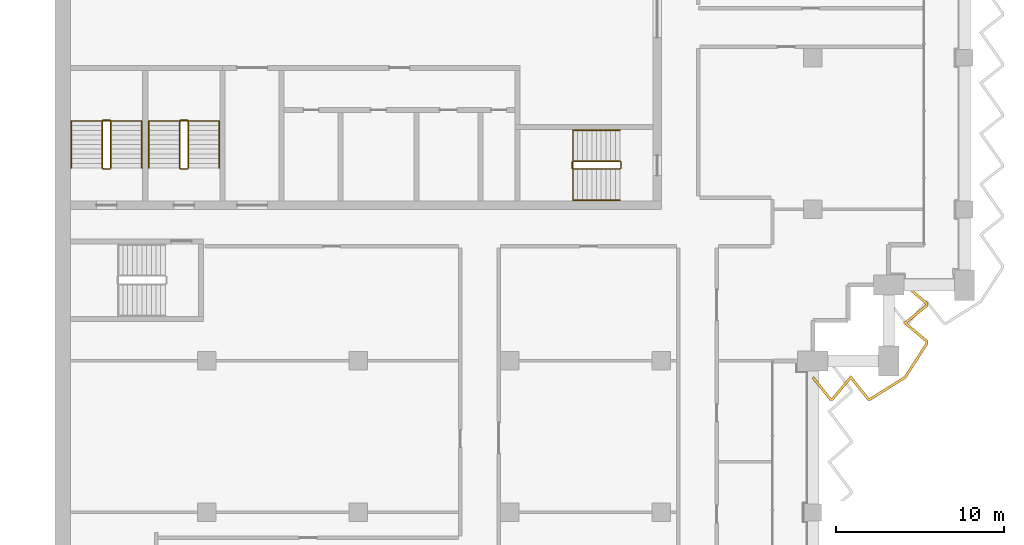
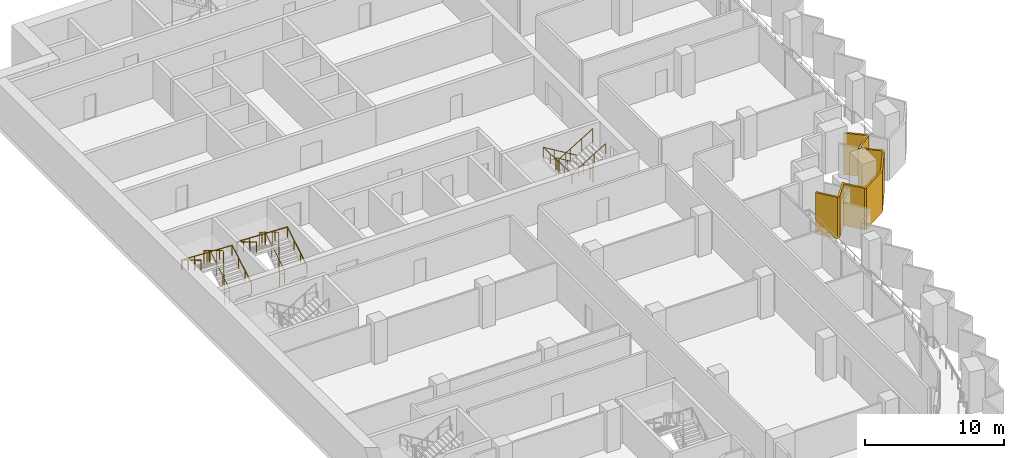
# One storey, part 16 of 17: 6 railings, 1 shading device.
"""IFC4 building model written with IfcOpenShell, lengths in metres."""

from ifc_helpers import new_model, si_unit, direction, frame, origin, origin_2d, place, context, subcontext, project, spatial, polyline, circle, outline, extrude, material, layer, layer_set, type_object, element, save


model = new_model("IFC4")

# Units and contexts
model_context = context("Model", 3, precision=1e-05, world=origin(), true_north=direction((0.0, 1.0)))
body_context = subcontext(model_context, "Body", "Model", "MODEL_VIEW")
ifc_project = project(units=[si_unit("LENGTHUNIT", "METRE"), si_unit("AREAUNIT", "SQUARE_METRE"), si_unit("VOLUMEUNIT", "CUBIC_METRE"), si_unit("PLANEANGLEUNIT", "RADIAN"), si_unit("MASSUNIT", "GRAM", prefix="KILO")], contexts=[model_context])

# Site, building, storey
site_placement = place(None, origin())
site = spatial("IfcSite", under=ifc_project, at=site_placement, CompositionType="ELEMENT")
building_placement = place(site_placement, origin())
building = spatial("IfcBuilding", under=site, at=building_placement, Name="Hunhe Ridgeline Campus", CompositionType="ELEMENT")
storey_placement = place(building_placement, frame((0.0, 0.0, 197.60009765625)))
storey = spatial("IfcBuildingStorey", under=building, at=storey_placement, Name="L50", CompositionType="ELEMENT", Elevation=197.60009765625)

# Shading device
ifc_material_1 = material(Name="Concrete C50", Category="concrete")
ifc_layer = layer(ifc_material_1, 0.14990234375)
ifc_layer_set = layer_set([ifc_layer], Name="Sawtooth concrete fin 150 Concrete C50")
shading_device_type = type_object("IfcShadingDeviceType", Name="Sawtooth concrete fin 150 Concrete C50", PredefinedType="USERDEFINED", material=ifc_layer_set)
shading_device_placement = place(storey_placement, frame((0.0, 0.0, -0.9501953125)))
element("IfcShadingDevice", 1, at=shading_device_placement, inside=storey, type_object=shading_device_type, Name="Concrete fin screen 2", ObjectType="FIN", PredefinedType="USERDEFINED", context=body_context, shape_type="SweptSolid", body=[
    extrude(outline(polyline([(45.05859375, 53.07177734375), (44.94140625, 52.978271484375), (46.000732421875, 51.64990234375), (46.19189453125, 51.64990234375), (47.24853515625, 52.90673828125), (48.250732421875, 51.64990234375), (48.428466796875, 51.64990234375), (50.529052734375, 52.970458984375), (51.85009765625, 55.0146484375), (51.85009765625, 55.19189453125), (50.59326171875, 56.24853515625), (51.85009765625, 57.250732421875), (51.85009765625, 57.44189453125), (50.523193359375, 58.557373046875), (50.4267578125, 58.442626953125), (51.699951171875, 57.371826171875), (51.699951171875, 57.322998046875), (50.356689453125, 56.25146484375), (51.699951171875, 55.121826171875), (51.699951171875, 55.05908203125), (50.421142578125, 53.07958984375), (48.38525390625, 51.800048828125), (48.322998046875, 51.800048828125), (47.25146484375, 53.143310546875), (46.121826171875, 51.800048828125), (46.072998046875, 51.800048828125), (45.05859375, 53.07177734375)])), origin(), (0.0, 0.0, 1.0), 3.650146484375),
])

# Railings
ifc_material_2 = material(Name="Stainless steel balustrade", Category="steel")
railing_type_1 = type_object("IfcRailingType", Name="Stair guard 1100 stainless", PredefinedType="GUARDRAIL", material=ifc_material_2)
railing_1_placement = place(storey_placement, frame((33.550048828125, 65.85009765625, 0.16796875)))
element("IfcRailing", 2, at=railing_1_placement, inside=storey, type_object=railing_type_1, Name="L50 stair S2 guard", PredefinedType="GUARDRAIL", context=body_context, shape_type="SweptSolid", body=[
    extrude(circle(Radius=0.02392578125, at=origin_2d()), frame((0.0, 0.0, 1.076171875), z_axis=(-0.857242210791, 0.0, 0.514913383045), x_axis=(0.0, -1.0, 0.0)), (0.0, 0.0, 1.0), 3.266357421875),
    extrude(circle(Radius=0.02392578125, at=origin_2d()), frame((-2.800048828125, 0.0, 2.7578125), z_axis=(-0.707106781187, -0.707106781187, 0.0), x_axis=(0.707106781187, -0.707106781187, 0.0)), (0.0, 0.0, 1.0), 0.07080078125),
    extrude(circle(Radius=0.02392578125, at=origin_2d()), frame((-2.85009765625, -0.050048828125, 2.7578125), z_axis=(0.0, -1.0, 0.0), x_axis=(1.0, 0.0, 0.0)), (0.0, 0.0, 1.0), 0.35009765625),
    extrude(circle(Radius=0.02392578125, at=origin_2d()), frame((-2.85009765625, -0.400146484375, 2.7578125), z_axis=(0.274243871929, -0.274243871929, 0.92172696468), x_axis=(0.707106781187, 0.707106781187, 0.0)), (0.0, 0.0, 1.0), 0.1826171875),
    extrude(circle(Radius=0.02392578125, at=origin_2d()), frame((-2.800048828125, -0.4501953125, 2.92626953125), z_axis=(0.857242210791, 0.0, 0.514913383045), x_axis=(0.0, 1.0, 0.0)), (0.0, 0.0, 1.0), 3.266357421875),
    extrude(circle(Radius=0.02392578125, at=origin_2d()), frame((0.0, -0.4501953125, 4.60791015625), z_axis=(0.013524414389, 0.013524414389, -0.999817073484), x_axis=(-0.707106781187, 0.707106781187, 0.0)), (0.0, 0.0, 1.0), 3.70068359375),
    extrude(circle(Radius=0.02392578125, at=origin_2d()), frame((0.050048828125, -0.400146484375, 0.908203125), z_axis=(0.0, 1.0, 0.0), x_axis=(-1.0, 0.0, 0.0)), (0.0, 0.0, 1.0), 0.35009765625),
    extrude(circle(Radius=0.02099609375, at=origin_2d()), origin(), (0.0, 0.0, 1.0), 1.052001953125),
    extrude(circle(Radius=0.02099609375, at=origin_2d()), frame((-0.933349609375, 0.0, 0.560546875)), (0.0, 0.0, 1.0), 1.052001953125),
    extrude(circle(Radius=0.02099609375, at=origin_2d()), frame((-1.86669921875, 0.0, 1.121337890625)), (0.0, 0.0, 1.0), 1.052001953125),
    extrude(circle(Radius=0.02099609375, at=origin_2d()), frame((-2.800048828125, 0.0, 1.681884765625)), (0.0, 0.0, 1.0), 1.052001953125),
    extrude(circle(Radius=0.02099609375, at=origin_2d()), frame((-2.85009765625, -0.050048828125, 1.681884765625)), (0.0, 0.0, 1.0), 1.052001953125),
    extrude(circle(Radius=0.02099609375, at=origin_2d()), frame((-2.85009765625, -0.400146484375, 1.681884765625)), (0.0, 0.0, 1.0), 1.052001953125),
    extrude(circle(Radius=0.02099609375, at=origin_2d()), frame((-2.800048828125, -0.4501953125, 1.85009765625)), (0.0, 0.0, 1.0), 1.052001953125),
    extrude(circle(Radius=0.02099609375, at=origin_2d()), frame((-1.86669921875, -0.4501953125, 2.41064453125)), (0.0, 0.0, 1.0), 1.052001953125),
    extrude(circle(Radius=0.02099609375, at=origin_2d()), frame((-0.933349609375, -0.4501953125, 2.971435546875)), (0.0, 0.0, 1.0), 1.052001953125),
    extrude(circle(Radius=0.02099609375, at=origin_2d()), frame((0.0, -0.4501953125, 3.531982421875)), (0.0, 0.0, 1.0), 1.052001953125),
    extrude(circle(Radius=0.02099609375, at=origin_2d()), frame((0.012451171875, -0.437744140625, 2.60693359375)), (0.0, 0.0, 1.0), 1.052001953125),
    extrude(circle(Radius=0.02099609375, at=origin_2d()), frame((0.02490234375, -0.42529296875, 1.68212890625)), (0.0, 0.0, 1.0), 1.052001953125),
    extrude(circle(Radius=0.02099609375, at=origin_2d()), frame((0.03759765625, -0.41259765625, 0.757080078125)), (0.0, 0.0, 1.0), 1.052001953125),
    extrude(circle(Radius=0.02099609375, at=origin_2d()), frame((0.050048828125, -0.400146484375, -0.16796875)), (0.0, 0.0, 1.0), 1.052001953125),
    extrude(circle(Radius=0.02099609375, at=origin_2d()), frame((0.050048828125, -0.050048828125, -0.16796875)), (0.0, 0.0, 1.0), 1.052001953125),
])
railing_2_placement = place(storey_placement, frame((3.300048828125, 65.449951171875, 0.16796875)))
element("IfcRailing", 3, at=railing_2_placement, inside=storey, type_object=railing_type_1, Name="L50 stair S3 guard", PredefinedType="GUARDRAIL", context=body_context, shape_type="SweptSolid", body=[
    extrude(circle(Radius=0.02392578125, at=origin_2d()), frame((0.0, 0.0, 1.076171875), z_axis=(0.0, 0.857242210791, 0.514913383045), x_axis=(-1.0, 0.0, 0.0)), (0.0, 0.0, 1.0), 3.266357421875),
    extrude(circle(Radius=0.02392578125, at=origin_2d()), frame((0.0, 2.800048828125, 2.7578125), z_axis=(-0.707106781187, 0.707106781187, 0.0), x_axis=(-0.707106781187, -0.707106781187, 0.0)), (0.0, 0.0, 1.0), 0.07080078125),
    extrude(circle(Radius=0.02392578125, at=origin_2d()), frame((-0.050048828125, 2.85009765625, 2.7578125), z_axis=(-1.0, 0.0, 0.0), x_axis=(0.0, -1.0, 0.0)), (0.0, 0.0, 1.0), 0.39990234375),
    extrude(circle(Radius=0.02392578125, at=origin_2d()), frame((-0.449951171875, 2.85009765625, 2.7578125), z_axis=(-0.274243871929, -0.274243871929, 0.92172696468), x_axis=(0.707106781187, -0.707106781187, 0.0)), (0.0, 0.0, 1.0), 0.1826171875),
    extrude(circle(Radius=0.02392578125, at=origin_2d()), frame((-0.5, 2.800048828125, 2.92626953125), z_axis=(0.0, -0.857242210791, 0.514913383045), x_axis=(1.0, 0.0, 0.0)), (0.0, 0.0, 1.0), 3.266357421875),
    extrude(circle(Radius=0.02392578125, at=origin_2d()), frame((-0.5, 0.0, 4.60791015625), z_axis=(0.013524414389, -0.013524414389, -0.999817073484), x_axis=(0.707106781187, 0.707106781187, 0.0)), (0.0, 0.0, 1.0), 3.70068359375),
    extrude(circle(Radius=0.02392578125, at=origin_2d()), frame((-0.449951171875, -0.050048828125, 0.908203125), z_axis=(1.0, 0.0, 0.0), x_axis=(0.0, 1.0, 0.0)), (0.0, 0.0, 1.0), 0.39990234375),
    extrude(circle(Radius=0.02099609375, at=origin_2d()), origin(), (0.0, 0.0, 1.0), 1.052001953125),
    extrude(circle(Radius=0.02099609375, at=origin_2d()), frame((0.0, 0.933349609375, 0.560546875)), (0.0, 0.0, 1.0), 1.052001953125),
    extrude(circle(Radius=0.02099609375, at=origin_2d()), frame((0.0, 1.86669921875, 1.121337890625)), (0.0, 0.0, 1.0), 1.052001953125),
    extrude(circle(Radius=0.02099609375, at=origin_2d()), frame((0.0, 2.800048828125, 1.681884765625)), (0.0, 0.0, 1.0), 1.052001953125),
    extrude(circle(Radius=0.02099609375, at=origin_2d()), frame((-0.050048828125, 2.85009765625, 1.681884765625)), (0.0, 0.0, 1.0), 1.052001953125),
    extrude(circle(Radius=0.02099609375, at=origin_2d()), frame((-0.449951171875, 2.85009765625, 1.681884765625)), (0.0, 0.0, 1.0), 1.052001953125),
    extrude(circle(Radius=0.02099609375, at=origin_2d()), frame((-0.5, 2.800048828125, 1.85009765625)), (0.0, 0.0, 1.0), 1.052001953125),
    extrude(circle(Radius=0.02099609375, at=origin_2d()), frame((-0.5, 1.86669921875, 2.41064453125)), (0.0, 0.0, 1.0), 1.052001953125),
    extrude(circle(Radius=0.02099609375, at=origin_2d()), frame((-0.5, 0.933349609375, 2.971435546875)), (0.0, 0.0, 1.0), 1.052001953125),
    extrude(circle(Radius=0.02099609375, at=origin_2d()), frame((-0.5, 0.0, 3.531982421875)), (0.0, 0.0, 1.0), 1.052001953125),
    extrude(circle(Radius=0.02099609375, at=origin_2d()), frame((-0.487548828125, -0.012451171875, 2.60693359375)), (0.0, 0.0, 1.0), 1.052001953125),
    extrude(circle(Radius=0.02099609375, at=origin_2d()), frame((-0.47509765625, -0.02490234375, 1.68212890625)), (0.0, 0.0, 1.0), 1.052001953125),
    extrude(circle(Radius=0.02099609375, at=origin_2d()), frame((-0.46240234375, -0.03759765625, 0.757080078125)), (0.0, 0.0, 1.0), 1.052001953125),
    extrude(circle(Radius=0.02099609375, at=origin_2d()), frame((-0.449951171875, -0.050048828125, -0.16796875)), (0.0, 0.0, 1.0), 1.052001953125),
    extrude(circle(Radius=0.02099609375, at=origin_2d()), frame((-0.050048828125, -0.050048828125, -0.16796875)), (0.0, 0.0, 1.0), 1.052001953125),
])
railing_3_placement = place(storey_placement, frame((7.89990234375, 65.449951171875, 0.16796875)))
element("IfcRailing", 4, at=railing_3_placement, inside=storey, type_object=railing_type_1, Name="L50 stair S4 guard", PredefinedType="GUARDRAIL", context=body_context, shape_type="SweptSolid", body=[
    extrude(circle(Radius=0.02392578125, at=origin_2d()), frame((0.0, 0.0, 1.076171875), z_axis=(0.0, 0.857242210791, 0.514913383045), x_axis=(-1.0, 0.0, 0.0)), (0.0, 0.0, 1.0), 3.266357421875),
    extrude(circle(Radius=0.02392578125, at=origin_2d()), frame((0.0, 2.800048828125, 2.7578125), z_axis=(-0.705375805398, 0.708833529934, 0.0), x_axis=(-0.708833529934, -0.705375805398, 0.0)), (0.0, 0.0, 1.0), 0.070556640625),
    extrude(circle(Radius=0.02392578125, at=origin_2d()), frame((-0.0498046875, 2.85009765625, 2.7578125), z_axis=(-1.0, 0.0, 0.0), x_axis=(0.0, -1.0, 0.0)), (0.0, 0.0, 1.0), 0.400146484375),
    extrude(circle(Radius=0.02392578125, at=origin_2d()), frame((-0.449951171875, 2.85009765625, 2.7578125), z_axis=(-0.274243871929, -0.274243871929, 0.92172696468), x_axis=(0.707106781187, -0.707106781187, 0.0)), (0.0, 0.0, 1.0), 0.1826171875),
    extrude(circle(Radius=0.02392578125, at=origin_2d()), frame((-0.5, 2.800048828125, 2.92626953125), z_axis=(0.0, -0.857242210791, 0.514913383045), x_axis=(1.0, 0.0, 0.0)), (0.0, 0.0, 1.0), 3.266357421875),
    extrude(circle(Radius=0.02392578125, at=origin_2d()), frame((-0.5, 0.0, 4.60791015625), z_axis=(0.013524414389, -0.013524414389, -0.999817073484), x_axis=(0.707106781187, 0.707106781187, 0.0)), (0.0, 0.0, 1.0), 3.70068359375),
    extrude(circle(Radius=0.02392578125, at=origin_2d()), frame((-0.449951171875, -0.050048828125, 0.908203125), z_axis=(1.0, 0.0, 0.0), x_axis=(0.0, 1.0, 0.0)), (0.0, 0.0, 1.0), 0.400146484375),
    extrude(circle(Radius=0.02099609375, at=origin_2d()), origin(), (0.0, 0.0, 1.0), 1.052001953125),
    extrude(circle(Radius=0.02099609375, at=origin_2d()), frame((0.0, 0.933349609375, 0.560546875)), (0.0, 0.0, 1.0), 1.052001953125),
    extrude(circle(Radius=0.02099609375, at=origin_2d()), frame((0.0, 1.86669921875, 1.121337890625)), (0.0, 0.0, 1.0), 1.052001953125),
    extrude(circle(Radius=0.02099609375, at=origin_2d()), frame((0.0, 2.800048828125, 1.681884765625)), (0.0, 0.0, 1.0), 1.052001953125),
    extrude(circle(Radius=0.02099609375, at=origin_2d()), frame((-0.0498046875, 2.85009765625, 1.681884765625)), (0.0, 0.0, 1.0), 1.052001953125),
    extrude(circle(Radius=0.02099609375, at=origin_2d()), frame((-0.449951171875, 2.85009765625, 1.681884765625)), (0.0, 0.0, 1.0), 1.052001953125),
    extrude(circle(Radius=0.02099609375, at=origin_2d()), frame((-0.5, 2.800048828125, 1.85009765625)), (0.0, 0.0, 1.0), 1.052001953125),
    extrude(circle(Radius=0.02099609375, at=origin_2d()), frame((-0.5, 1.86669921875, 2.41064453125)), (0.0, 0.0, 1.0), 1.052001953125),
    extrude(circle(Radius=0.02099609375, at=origin_2d()), frame((-0.5, 0.933349609375, 2.971435546875)), (0.0, 0.0, 1.0), 1.052001953125),
    extrude(circle(Radius=0.02099609375, at=origin_2d()), frame((-0.5, 0.0, 3.531982421875)), (0.0, 0.0, 1.0), 1.052001953125),
    extrude(circle(Radius=0.02099609375, at=origin_2d()), frame((-0.487548828125, -0.012451171875, 2.60693359375)), (0.0, 0.0, 1.0), 1.052001953125),
    extrude(circle(Radius=0.02099609375, at=origin_2d()), frame((-0.47509765625, -0.02490234375, 1.68212890625)), (0.0, 0.0, 1.0), 1.052001953125),
    extrude(circle(Radius=0.02099609375, at=origin_2d()), frame((-0.46240234375, -0.03759765625, 0.757080078125)), (0.0, 0.0, 1.0), 1.052001953125),
    extrude(circle(Radius=0.02099609375, at=origin_2d()), frame((-0.449951171875, -0.050048828125, -0.16796875)), (0.0, 0.0, 1.0), 1.052001953125),
    extrude(circle(Radius=0.02099609375, at=origin_2d()), frame((-0.0498046875, -0.050048828125, -0.16796875)), (0.0, 0.0, 1.0), 1.052001953125),
])
ifc_material_3 = material(Name="Stainless steel handrail", Category="steel")
railing_type_2 = type_object("IfcRailingType", Name="Stair handrail 900 stainless", PredefinedType="HANDRAIL", material=ifc_material_3)
railing_4_placement = place(storey_placement, frame((33.550048828125, 67.699951171875, 0.16796875)))
element("IfcRailing", 5, at=railing_4_placement, inside=storey, type_object=railing_type_2, Name="L50 stair S2 handrail", PredefinedType="HANDRAIL", context=body_context, shape_type="SweptSolid", body=[
    extrude(circle(Radius=0.02392578125, at=origin_2d()), frame((0.0, 0.0, 0.8759765625), z_axis=(-0.857242210791, 0.0, 0.514913383045), x_axis=(0.0, -1.0, 0.0)), (0.0, 0.0, 1.0), 3.266357421875),
    extrude(circle(Radius=0.02392578125, at=origin_2d()), frame((-2.800048828125, 0.0, 2.5576171875), z_axis=(0.0, -0.99917950104, 0.040500922239), x_axis=(1.0, 0.0, 0.0)), (0.0, 0.0, 1.0), 4.1533203125),
    extrude(circle(Radius=0.02392578125, at=origin_2d()), frame((-2.800048828125, -4.14990234375, 2.72607421875), z_axis=(0.857242210791, 0.0, 0.514913383045), x_axis=(0.0, 1.0, 0.0)), (0.0, 0.0, 1.0), 3.266357421875),
    extrude(circle(Radius=0.02099609375, at=origin_2d()), origin(), (0.0, 0.0, 1.0), 0.851806640625),
    extrude(circle(Radius=0.02099609375, at=origin_2d()), frame((-0.933349609375, 0.0, 0.560546875)), (0.0, 0.0, 1.0), 0.851806640625),
    extrude(circle(Radius=0.02099609375, at=origin_2d()), frame((-1.86669921875, 0.0, 1.121337890625)), (0.0, 0.0, 1.0), 0.851806640625),
    extrude(circle(Radius=0.02099609375, at=origin_2d()), frame((-2.800048828125, 0.0, 1.681884765625)), (0.0, 0.0, 1.0), 0.851806640625),
    extrude(circle(Radius=0.02099609375, at=origin_2d()), frame((-2.800048828125, -1.03759765625, 1.723876953125)), (0.0, 0.0, 1.0), 0.851806640625),
    extrude(circle(Radius=0.02099609375, at=origin_2d()), frame((-2.800048828125, -2.074951171875, 1.76611328125)), (0.0, 0.0, 1.0), 0.851806640625),
    extrude(circle(Radius=0.02099609375, at=origin_2d()), frame((-2.800048828125, -3.1123046875, 1.80810546875)), (0.0, 0.0, 1.0), 0.851806640625),
    extrude(circle(Radius=0.02099609375, at=origin_2d()), frame((-2.800048828125, -4.14990234375, 1.85009765625)), (0.0, 0.0, 1.0), 0.851806640625),
    extrude(circle(Radius=0.02099609375, at=origin_2d()), frame((-1.86669921875, -4.14990234375, 2.41064453125)), (0.0, 0.0, 1.0), 0.851806640625),
    extrude(circle(Radius=0.02099609375, at=origin_2d()), frame((-0.933349609375, -4.14990234375, 2.971435546875)), (0.0, 0.0, 1.0), 0.851806640625),
    extrude(circle(Radius=0.02099609375, at=origin_2d()), frame((0.0, -4.14990234375, 3.531982421875)), (0.0, 0.0, 1.0), 0.851806640625),
])
railing_5_placement = place(storey_placement, frame((5.14990234375, 65.449951171875, 0.16796875)))
element("IfcRailing", 6, at=railing_5_placement, inside=storey, type_object=railing_type_2, Name="L50 stair S3 handrail", PredefinedType="HANDRAIL", context=body_context, shape_type="SweptSolid", body=[
    extrude(circle(Radius=0.02392578125, at=origin_2d()), frame((0.0, 0.0, 0.8759765625), z_axis=(0.0, 0.857242210791, 0.514913383045), x_axis=(-1.0, 0.0, 0.0)), (0.0, 0.0, 1.0), 3.266357421875),
    extrude(circle(Radius=0.02392578125, at=origin_2d()), frame((0.0, 2.800048828125, 2.5576171875), z_axis=(-0.999198916169, 0.0, 0.040019069537), x_axis=(0.0, -1.0, 0.0)), (0.0, 0.0, 1.0), 4.203369140625),
    extrude(circle(Radius=0.02392578125, at=origin_2d()), frame((-4.199951171875, 2.800048828125, 2.72607421875), z_axis=(0.0, -0.857242210791, 0.514913383045), x_axis=(1.0, 0.0, 0.0)), (0.0, 0.0, 1.0), 3.266357421875),
    extrude(circle(Radius=0.02099609375, at=origin_2d()), origin(), (0.0, 0.0, 1.0), 0.851806640625),
    extrude(circle(Radius=0.02099609375, at=origin_2d()), frame((0.0, 0.933349609375, 0.560546875)), (0.0, 0.0, 1.0), 0.851806640625),
    extrude(circle(Radius=0.02099609375, at=origin_2d()), frame((0.0, 1.86669921875, 1.121337890625)), (0.0, 0.0, 1.0), 0.851806640625),
    extrude(circle(Radius=0.02099609375, at=origin_2d()), frame((0.0, 2.800048828125, 1.681884765625)), (0.0, 0.0, 1.0), 0.851806640625),
    extrude(circle(Radius=0.02099609375, at=origin_2d()), frame((-1.050048828125, 2.800048828125, 1.723876953125)), (0.0, 0.0, 1.0), 0.851806640625),
    extrude(circle(Radius=0.02099609375, at=origin_2d()), frame((-2.10009765625, 2.800048828125, 1.76611328125)), (0.0, 0.0, 1.0), 0.851806640625),
    extrude(circle(Radius=0.02099609375, at=origin_2d()), frame((-3.14990234375, 2.800048828125, 1.80810546875)), (0.0, 0.0, 1.0), 0.851806640625),
    extrude(circle(Radius=0.02099609375, at=origin_2d()), frame((-4.199951171875, 2.800048828125, 1.85009765625)), (0.0, 0.0, 1.0), 0.851806640625),
    extrude(circle(Radius=0.02099609375, at=origin_2d()), frame((-4.199951171875, 1.86669921875, 2.41064453125)), (0.0, 0.0, 1.0), 0.851806640625),
    extrude(circle(Radius=0.02099609375, at=origin_2d()), frame((-4.199951171875, 0.933349609375, 2.971435546875)), (0.0, 0.0, 1.0), 0.851806640625),
    extrude(circle(Radius=0.02099609375, at=origin_2d()), frame((-4.199951171875, 0.0, 3.531982421875)), (0.0, 0.0, 1.0), 0.851806640625),
])
railing_6_placement = place(storey_placement, frame((9.75, 65.449951171875, 0.16796875)))
element("IfcRailing", 7, at=railing_6_placement, inside=storey, type_object=railing_type_2, Name="L50 stair S4 handrail", PredefinedType="HANDRAIL", context=body_context, shape_type="SweptSolid", body=[
    extrude(circle(Radius=0.02392578125, at=origin_2d()), frame((0.0, 0.0, 0.8759765625), z_axis=(0.0, 0.857242210791, 0.514913383045), x_axis=(-1.0, 0.0, 0.0)), (0.0, 0.0, 1.0), 3.266357421875),
    extrude(circle(Radius=0.02392578125, at=origin_2d()), frame((0.0, 2.800048828125, 2.5576171875), z_axis=(-0.999198916169, 0.0, 0.040019069537), x_axis=(0.0, -1.0, 0.0)), (0.0, 0.0, 1.0), 4.203369140625),
    extrude(circle(Radius=0.02392578125, at=origin_2d()), frame((-4.199951171875, 2.800048828125, 2.72607421875), z_axis=(0.0, -0.857242210791, 0.514913383045), x_axis=(1.0, 0.0, 0.0)), (0.0, 0.0, 1.0), 3.266357421875),
    extrude(circle(Radius=0.02099609375, at=origin_2d()), origin(), (0.0, 0.0, 1.0), 0.851806640625),
    extrude(circle(Radius=0.02099609375, at=origin_2d()), frame((0.0, 0.933349609375, 0.560546875)), (0.0, 0.0, 1.0), 0.851806640625),
    extrude(circle(Radius=0.02099609375, at=origin_2d()), frame((0.0, 1.86669921875, 1.121337890625)), (0.0, 0.0, 1.0), 0.851806640625),
    extrude(circle(Radius=0.02099609375, at=origin_2d()), frame((0.0, 2.800048828125, 1.681884765625)), (0.0, 0.0, 1.0), 0.851806640625),
    extrude(circle(Radius=0.02099609375, at=origin_2d()), frame((-1.050048828125, 2.800048828125, 1.723876953125)), (0.0, 0.0, 1.0), 0.851806640625),
    extrude(circle(Radius=0.02099609375, at=origin_2d()), frame((-2.10009765625, 2.800048828125, 1.76611328125)), (0.0, 0.0, 1.0), 0.851806640625),
    extrude(circle(Radius=0.02099609375, at=origin_2d()), frame((-3.14990234375, 2.800048828125, 1.80810546875)), (0.0, 0.0, 1.0), 0.851806640625),
    extrude(circle(Radius=0.02099609375, at=origin_2d()), frame((-4.199951171875, 2.800048828125, 1.85009765625)), (0.0, 0.0, 1.0), 0.851806640625),
    extrude(circle(Radius=0.02099609375, at=origin_2d()), frame((-4.199951171875, 1.86669921875, 2.41064453125)), (0.0, 0.0, 1.0), 0.851806640625),
    extrude(circle(Radius=0.02099609375, at=origin_2d()), frame((-4.199951171875, 0.933349609375, 2.971435546875)), (0.0, 0.0, 1.0), 0.851806640625),
    extrude(circle(Radius=0.02099609375, at=origin_2d()), frame((-4.199951171875, 0.0, 3.531982421875)), (0.0, 0.0, 1.0), 0.851806640625),
])

save(model, "model.ifc")
